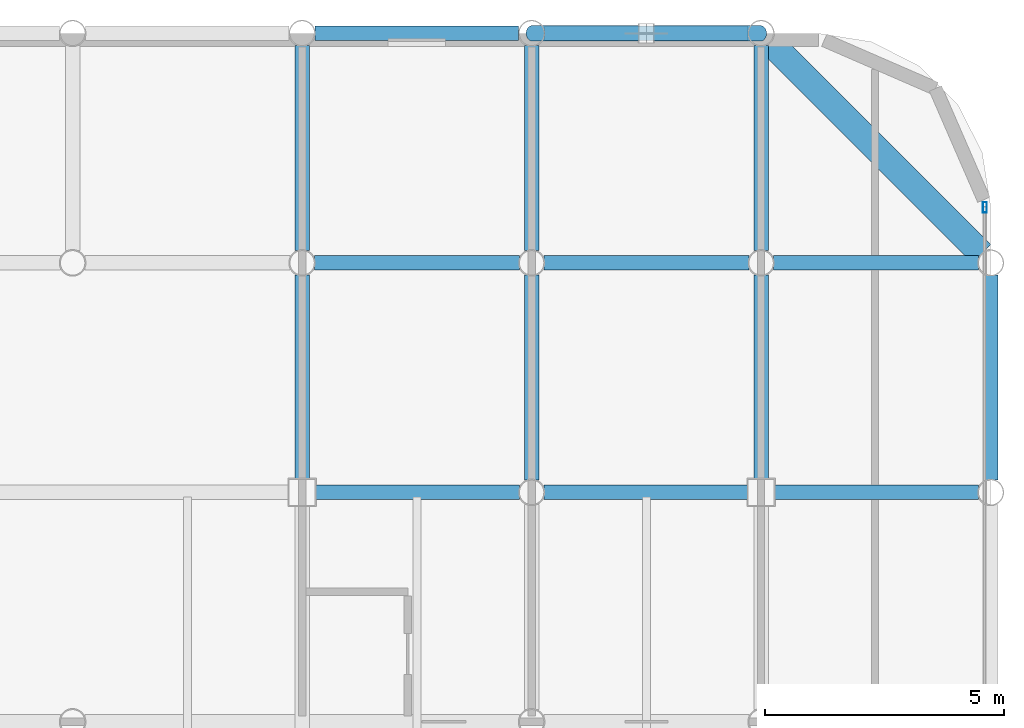
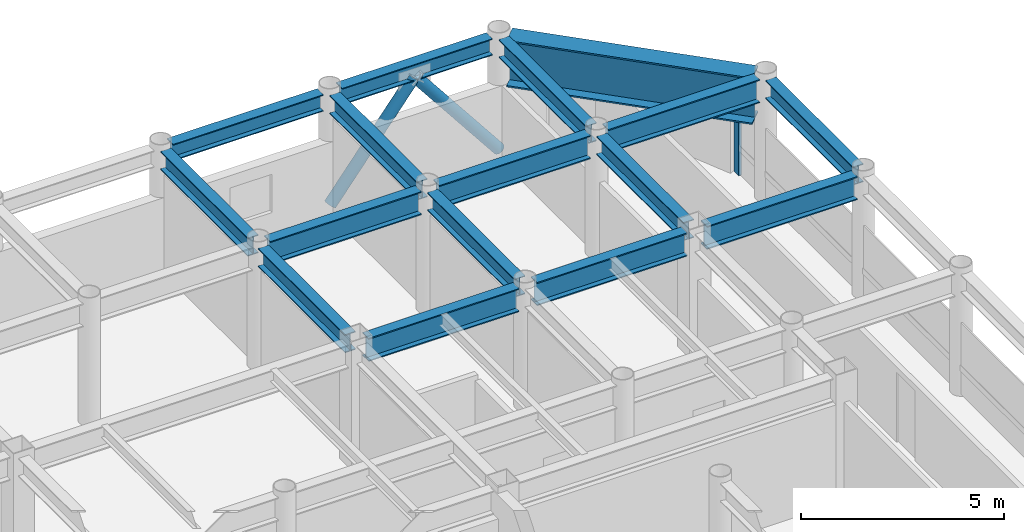
# One storey, part 16 of 22: 16 beams, 3 members, 1 element without a shape of its own.
"""IFC4 building model written with IfcOpenShell, lengths in metres."""

from ifc_helpers import new_model, si_unit, direction, frame, origin, origin_2d, place, context, subcontext, project, spatial, hollow_rectangle, hollow_circle, i_section, extrude, material, layer, layer_set, material_profile, profile_set, type_object, element, aggregate, save


model = new_model("IFC4")

# Units and contexts
model_context = context("Model", 3, precision=1e-05, world=origin(), true_north=direction((0.0, 1.0)))
body_context = subcontext(model_context, "Body", "Model", "MODEL_VIEW")
ifc_project = project(units=[si_unit("LENGTHUNIT", "METRE"), si_unit("AREAUNIT", "SQUARE_METRE"), si_unit("VOLUMEUNIT", "CUBIC_METRE"), si_unit("PLANEANGLEUNIT", "RADIAN"), si_unit("MASSUNIT", "GRAM", prefix="KILO")], contexts=[model_context])

# Site, building, storey
site_placement = place(None, origin())
site = spatial("IfcSite", under=ifc_project, at=site_placement, CompositionType="ELEMENT")
building_placement = place(site_placement, origin())
building = spatial("IfcBuilding", under=site, at=building_placement, Name="Kallvorn Hotel Tower", CompositionType="ELEMENT")
storey_placement = place(building_placement, frame((0.0, 0.0, 256.949951171875)))
storey = spatial("IfcBuildingStorey", under=building, at=storey_placement, Name="L64", CompositionType="ELEMENT", Elevation=256.949951171875)

# Beams
ifc_material_1 = material(Name="Structural steel S355JR", Category="steel")
ifc_material_profile_1 = material_profile(ifc_material_1, i_section(OverallWidth=0.300048828125, OverallDepth=0.5, WebThickness=0.014404296875, FlangeThickness=0.028076171875, at=origin_2d()), Name="HE 500 B")
ifc_profile_set_1 = profile_set([ifc_material_profile_1], Name="Structural steel S355JR")
beam_type_1 = type_object("IfcBeamType", Name="BM_HE500B", PredefinedType="SPANDREL", material=ifc_profile_set_1)
for number, where, z_axis, x_axis, name in (
    (1, (14.66943359375, 24.0, 3.420166015625), (1.0, 0.0, 0.0), (0.0, 1.0, 0.0), "L65 Perimeter Spandrel 172"),
    (2, (19.469482421875, 24.0, 3.420166015625), (1.0, 0.0, 0.0), (0.0, 1.0, 0.0), "L65 Perimeter Spandrel 173"),
):
    element("IfcBeam", number, at=place(storey_placement, frame(where, z_axis=z_axis, x_axis=x_axis)), inside=storey, type_object=beam_type_1, Name=name, PredefinedType="SPANDREL", context=body_context, shape_type="SweptSolid", body=[
        extrude(i_section(OverallWidth=0.300048828125, OverallDepth=0.5, WebThickness=0.014404296875, FlangeThickness=0.028076171875, at=origin_2d()), origin(), (0.0, 0.0, 1.0), 4.260986328125),
    ])
ifc_material_2 = material(Name="Structural steel S355JR", Category="steel")
ifc_material_profile_2 = material_profile(ifc_material_2, i_section(OverallWidth=0.300048828125, OverallDepth=0.550048828125, WebThickness=0.014892578125, FlangeThickness=0.029052734375, at=origin_2d()), Name="HE 550 B")
ifc_profile_set_2 = profile_set([ifc_material_profile_2], Name="Structural steel S355JR")
beam_type_2 = type_object("IfcBeamType", Name="BM_HE550B", PredefinedType="SPANDREL", material=ifc_profile_set_2)
beam_1_placement = place(storey_placement, frame((14.39990234375, 14.675048828125, 3.39501953125), z_axis=(0.0, 1.0, 0.0), x_axis=(-1.0, 0.0, 0.0)))
element("IfcBeam", 3, at=beam_1_placement, inside=storey, type_object=beam_type_2, Name="L65 Primary Y-Girder 125", PredefinedType="SPANDREL", context=body_context, shape_type="SweptSolid", body=[
    extrude(i_section(OverallWidth=0.300048828125, OverallDepth=0.550048828125, WebThickness=0.014892578125, FlangeThickness=0.029052734375, at=origin_2d()), origin(), (0.0, 0.0, 1.0), 4.2705078125),
])
for number, where, z_axis, x_axis, name in (
    (4, (14.39990234375, 19.45458984375, 3.39501953125), (0.0, 1.0, 0.0), (-1.0, 0.0, 0.0), "L65 Primary Y-Girder 126"),
    (5, (19.199951171875, 14.654541015625, 3.39501953125), (0.0, 1.0, 0.0), (-1.0, 0.0, 0.0), "L65 Primary Y-Girder 134"),
    (6, (19.199951171875, 19.45458984375, 3.39501953125), (0.0, 1.0, 0.0), (-1.0, 0.0, 0.0), "L65 Primary Y-Girder 135"),
):
    element("IfcBeam", number, at=place(storey_placement, frame(where, z_axis=z_axis, x_axis=x_axis)), inside=storey, type_object=beam_type_2, Name=name, PredefinedType="SPANDREL", context=body_context, shape_type="SweptSolid", body=[
        extrude(i_section(OverallWidth=0.300048828125, OverallDepth=0.550048828125, WebThickness=0.014892578125, FlangeThickness=0.029052734375, at=origin_2d()), origin(), (0.0, 0.0, 1.0), 4.291015625),
    ])
beam_2_placement = place(storey_placement, frame((24.0, 14.675048828125, 3.39501953125), z_axis=(0.0, 1.0, 0.0), x_axis=(-1.0, 0.0, 0.0)))
element("IfcBeam", 7, at=beam_2_placement, inside=storey, type_object=beam_type_2, Name="L65 Primary Y-Girder 141", PredefinedType="SPANDREL", context=body_context, shape_type="SweptSolid", body=[
    extrude(i_section(OverallWidth=0.300048828125, OverallDepth=0.550048828125, WebThickness=0.014892578125, FlangeThickness=0.029052734375, at=origin_2d()), origin(), (0.0, 0.0, 1.0), 4.2705078125),
])
for number, where, z_axis, x_axis, name in (
    (8, (24.0, 19.45458984375, 3.39501953125), (0.0, 1.0, 0.0), (-1.0, 0.0, 0.0), "L65 Primary Y-Girder 142"),
    (9, (28.800048828125, 14.654541015625, 3.39501953125), (0.0, 1.0, 0.0), (-1.0, 0.0, 0.0), "L65 Primary Y-Girder 150"),
):
    element("IfcBeam", number, at=place(storey_placement, frame(where, z_axis=z_axis, x_axis=x_axis)), inside=storey, type_object=beam_type_2, Name=name, PredefinedType="SPANDREL", context=body_context, shape_type="SweptSolid", body=[
        extrude(i_section(OverallWidth=0.300048828125, OverallDepth=0.550048828125, WebThickness=0.014892578125, FlangeThickness=0.029052734375, at=origin_2d()), origin(), (0.0, 0.0, 1.0), 4.291015625),
    ])
ifc_material_3 = material(Name="Structural steel S355JR", Category="steel")
ifc_material_profile_3 = material_profile(ifc_material_3, i_section(OverallWidth=0.300048828125, OverallDepth=0.699951171875, WebThickness=0.01708984375, FlangeThickness=0.031982421875, at=origin_2d()), Name="HE 700 B")
ifc_profile_set_3 = profile_set([ifc_material_profile_3], Name="Structural steel S355JR")
beam_type_3 = type_object("IfcBeamType", Name="BM_HE700B", PredefinedType="BEAM", material=ifc_profile_set_3)
for number, where, z_axis, x_axis, name in (
    (10, (14.675048828125, 14.39990234375, 3.320068359375), (1.0, 0.0, 0.0), (0.0, 1.0, 0.0), "L65 Primary X-Girder 57"),
    (11, (19.45458984375, 14.39990234375, 3.320068359375), (1.0, 0.0, 0.0), (0.0, 1.0, 0.0), "L65 Primary X-Girder 58"),
    (12, (24.27490234375, 14.39990234375, 3.320068359375), (1.0, 0.0, 0.0), (0.0, 1.0, 0.0), "L65 Primary X-Girder 59"),
):
    element("IfcBeam", number, at=place(storey_placement, frame(where, z_axis=z_axis, x_axis=x_axis)), inside=storey, type_object=beam_type_3, Name=name, PredefinedType="BEAM", context=body_context, shape_type="SweptSolid", body=[
        extrude(i_section(OverallWidth=0.300048828125, OverallDepth=0.699951171875, WebThickness=0.01708984375, FlangeThickness=0.031982421875, at=origin_2d()), origin(), (0.0, 0.0, 1.0), 4.2705078125),
    ])
for number, where, z_axis, x_axis, name in (
    (13, (14.654541015625, 19.199951171875, 3.320068359375), (1.0, 0.0, 0.0), (0.0, 1.0, 0.0), "L65 Primary X-Girder 70"),
    (14, (19.45458984375, 19.199951171875, 3.320068359375), (1.0, 0.0, 0.0), (0.0, 1.0, 0.0), "L65 Primary X-Girder 71"),
    (15, (24.25439453125, 19.199951171875, 3.320068359375), (1.0, 0.0, 0.0), (0.0, 1.0, 0.0), "L65 Primary X-Girder 72"),
):
    element("IfcBeam", number, at=place(storey_placement, frame(where, z_axis=z_axis, x_axis=x_axis)), inside=storey, type_object=beam_type_3, Name=name, PredefinedType="BEAM", context=body_context, shape_type="SweptSolid", body=[
        extrude(i_section(OverallWidth=0.300048828125, OverallDepth=0.699951171875, WebThickness=0.01708984375, FlangeThickness=0.031982421875, at=origin_2d()), origin(), (0.0, 0.0, 1.0), 4.291015625),
    ])
ifc_material_4 = material(Name="Structural steel S355JR", Category="steel")
ifc_material_profile_4 = material_profile(ifc_material_4, i_section(OverallWidth=0.550048828125, OverallDepth=1.39990234375, WebThickness=0.02490234375, FlangeThickness=0.044921875, at=origin_2d()), Name="PG 1400x550x25x45")
ifc_profile_set_4 = profile_set([ifc_material_profile_4], Name="Structural steel S355JR")
beam_type_4 = type_object("IfcBeamType", Name="BM_PG_1400", PredefinedType="BEAM", material=ifc_profile_set_4)
beam_3_placement = place(storey_placement, frame((28.609375, 19.390625, 2.969970703125), z_axis=(-0.707106781187, 0.707106781187, 0.0), x_axis=(-0.707106781187, -0.707106781187, 0.0)))
element("IfcBeam", 16, at=beam_3_placement, inside=storey, type_object=beam_type_4, Name="L65 Rounded Corner Tie Beam 191", PredefinedType="BEAM", context=body_context, shape_type="SweptSolid", body=[
    extrude(i_section(OverallWidth=0.550048828125, OverallDepth=1.39990234375, WebThickness=0.02490234375, FlangeThickness=0.044921875, at=origin_2d()), origin(), (0.0, 0.0, 1.0), 6.2490234375),
])

# Curtain wall, member
ifc_material_5 = material(Name="Thermally broken black-anodised aluminium AA 6063-T6", Category="aluminium")
ifc_layer = layer(ifc_material_5, 0.22998046875)
ifc_layer_set = layer_set([ifc_layer], Name="CW_SYS_5_HOTEL_HIGH")
curtain_wall_type = type_object("IfcCurtainWallType", Name="CW_SYS_5_HOTEL_HIGH", PredefinedType="USERDEFINED", material=ifc_layer_set)
curtain_wall_placement = place(storey_placement, origin())
curtain_wall = element("IfcCurtainWall", 17, at=curtain_wall_placement, inside=storey, type_object=curtain_wall_type, Name="L64 Dark-Glass Curtain Wall CW-L64-EN", ObjectType="UNITISED CURTAIN WALL", PredefinedType="USERDEFINED")
ifc_material_6 = material(Name="Thermally broken black-anodised aluminium AA 6063-T6", Category="aluminium")
ifc_material_profile_5 = material_profile(ifc_material_6, hollow_rectangle(XDim=0.080078125, YDim=0.219970703125, WallThickness=0.0048828125, at=origin_2d()), Name="MUL 220x80")
ifc_profile_set_5 = profile_set([ifc_material_profile_5], Name="Thermally broken black-anodised aluminium AA 6063-T6")
member_type_1 = type_object("IfcMemberType", Name="CW_MULLION_220x80", PredefinedType="MULLION", material=ifc_profile_set_5)
member_placement = place(storey_placement, frame((28.679931640625, 20.360107421875, 0.02001953125), z_axis=(0.0, 0.0, 1.0), x_axis=(1.0, 0.0, 0.0)))
member = element("IfcMember", 18, at=member_placement, type_object=member_type_1, Name="CW-L64-EN Mullion 01", PredefinedType="MULLION", context=body_context, shape_type="SweptSolid", body=[
    extrude(hollow_rectangle(XDim=0.080078125, YDim=0.219970703125, WallThickness=0.0048828125, at=origin_2d()), origin(), (0.0, 0.0, 1.0), 2.22998046875),
])
aggregate(curtain_wall, [member])

# Members
ifc_material_7 = material(Name="Structural steel S355J2H", Category="steel")
ifc_material_profile_6 = material_profile(ifc_material_7, hollow_circle(Radius=0.161865234375, WallThickness=0.012451171875, at=origin_2d()), Name="CHS 323.9x12.5")
ifc_profile_set_6 = profile_set([ifc_material_profile_6], Name="Structural steel S355J2H")
member_type_2 = type_object("IfcMemberType", Name="MBR_EXO_CHS323", PredefinedType="BRACE", material=ifc_profile_set_6)
for number, where, z_axis, x_axis, name in (
    (19, (19.21240234375, 24.0, 0.19580078125), (0.620928510901, 0.0, 0.783867198159), (0.0, 1.0, 0.0), "L64 Exoskeleton K-Brace N2A"),
    (20, (23.987548828125, 24.0, 0.19580078125), (-0.620928510901, 0.0, 0.783867198159), (0.0, -1.0, 0.0), "L64 Exoskeleton K-Brace N2B"),
):
    element("IfcMember", number, at=place(storey_placement, frame(where, z_axis=z_axis, x_axis=x_axis)), inside=storey, type_object=member_type_2, Name=name, PredefinedType="BRACE", context=body_context, shape_type="SweptSolid", body=[
        extrude(hollow_circle(Radius=0.161865234375, WallThickness=0.012451171875, at=origin_2d()), origin(), (0.0, 0.0, 1.0), 3.8251953125),
    ])

save(model, "model.ifc")
